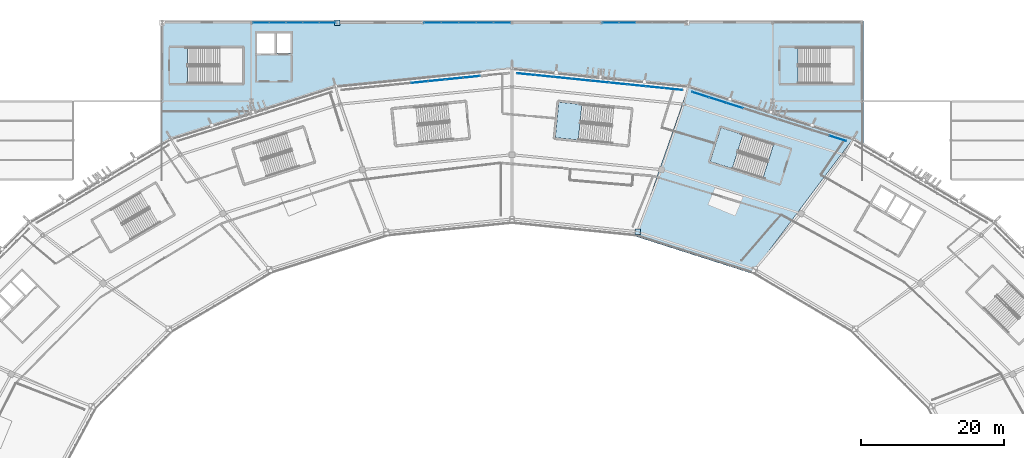
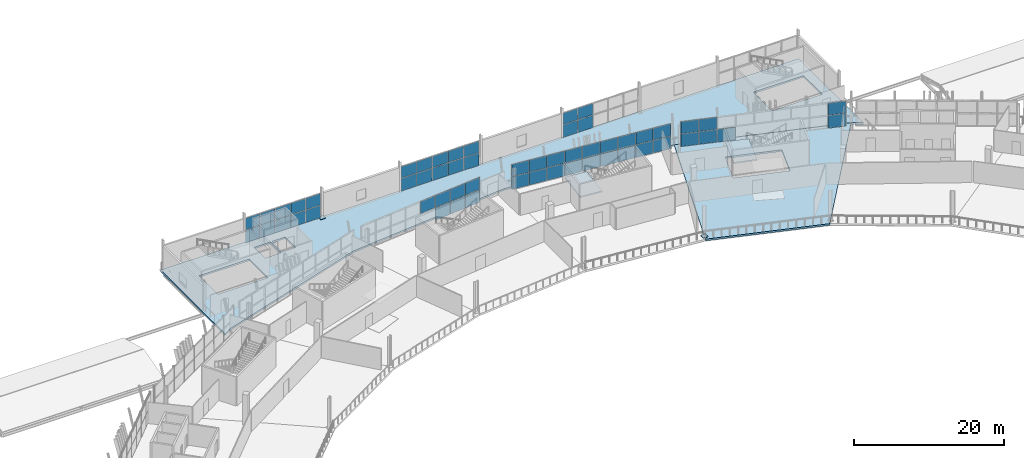
# One storey, part 101 of 179: 58 plates, 4 slabs, 8 elements without a shape of their own.
"""IFC4 building model written with IfcOpenShell, lengths in metres."""

from ifc_helpers import new_model, si_unit, direction, frame, origin, origin_2d, place, context, subcontext, project, spatial, polyline, rectangle, outline, extrude, material, layer, layer_set, type_object, element, aggregate, save


model = new_model("IFC4")

# Units and contexts
model_context = context("Model", 3, precision=1e-05, world=origin(), true_north=direction((0.0, 1.0)))
body_context = subcontext(model_context, "Body", "Model", "MODEL_VIEW")
ifc_project = project(units=[si_unit("LENGTHUNIT", "METRE"), si_unit("AREAUNIT", "SQUARE_METRE"), si_unit("VOLUMEUNIT", "CUBIC_METRE"), si_unit("PLANEANGLEUNIT", "RADIAN"), si_unit("MASSUNIT", "GRAM", prefix="KILO")], contexts=[model_context])

# Site, building, storey
site_placement = place(None, origin())
site = spatial("IfcSite", under=ifc_project, at=site_placement, CompositionType="ELEMENT")
building_placement = place(site_placement, origin())
building = spatial("IfcBuilding", under=site, at=building_placement, Name="Zlatoyarsky Gate Stadium", CompositionType="ELEMENT")
storey_placement = place(building_placement, frame((0.0, 0.0, 10.60009765625)))
storey = spatial("IfcBuildingStorey", under=building, at=storey_placement, Name="L02", CompositionType="ELEMENT", Elevation=10.60009765625)

# Curtain wall, plates
ifc_material_1 = material(Name="Thermally broken anodised aluminium curtain wall", Category="aluminium")
curtain_wall_type_1 = type_object("IfcCurtainWallType", Name="MONUMENTAL ARCHED GATE GLAZING UPPER", PredefinedType="USERDEFINED", material=ifc_material_1)
curtain_wall_1_placement = place(storey_placement, origin())
curtain_wall_1 = element("IfcCurtainWall", 1, at=curtain_wall_1_placement, inside=storey, type_object=curtain_wall_type_1, Name="Curtain wall CW-L02-06", ObjectType="ARCHED GATE GLAZING", PredefinedType="USERDEFINED")
ifc_material_2 = material(Name="Triple-glazed argon low-e architectural glass", Category="glass")
ifc_layer_1 = layer(ifc_material_2, 0.0458984375)
ifc_layer_set_1 = layer_set([ifc_layer_1], Name="Triple-glazed argon low-e architectural glass")
plate_type_1 = type_object("IfcPlateType", Name="ACOUSTIC LAMINATED GATE GLAZING PANEL 46", PredefinedType="CURTAIN_PANEL", material=ifc_layer_set_1)
plate_1_placement = place(storey_placement, frame((105.334716796875, 152.40283203125, 0.074951171875), z_axis=(0.0, 0.0, 1.0), x_axis=(-0.994922667712, -0.100642363208, 0.0)))
plate_1 = element("IfcPlate", 2, at=plate_1_placement, type_object=plate_type_1, Name="CW-AG2 panel 1.1", PredefinedType="CURTAIN_PANEL", context=body_context, shape_type="SweptSolid", body=[
    extrude(rectangle(XDim=2.33837890625, YDim=0.0458984375, at=origin_2d()), origin(), (0.0, 0.0, 1.0), 2.03759765625),
])
plate_2_placement = place(storey_placement, frame((105.334716796875, 152.40283203125, 2.1875), z_axis=(0.0, 0.0, 1.0), x_axis=(-0.994922667712, -0.100642363208, 0.0)))
plate_2 = element("IfcPlate", 3, at=plate_2_placement, type_object=plate_type_1, Name="CW-AG2 panel 1.2", PredefinedType="CURTAIN_PANEL", context=body_context, shape_type="SweptSolid", body=[
    extrude(rectangle(XDim=2.33837890625, YDim=0.0458984375, at=origin_2d()), origin(), (0.0, 0.0, 1.0), 1.9375),
])
plate_3_placement = place(storey_placement, frame((102.9150390625, 152.157958984375, 0.074951171875), z_axis=(0.0, 0.0, 1.0), x_axis=(-0.994922667712, -0.100642363208, 0.0)))
plate_3 = element("IfcPlate", 4, at=plate_3_placement, type_object=plate_type_1, Name="CW-AG2 panel 2.1", PredefinedType="CURTAIN_PANEL", context=body_context, shape_type="SweptSolid", body=[
    extrude(rectangle(XDim=2.3759765625, YDim=0.0458984375, at=origin_2d()), origin(), (0.0, 0.0, 1.0), 2.03759765625),
])
plate_4_placement = place(storey_placement, frame((102.9150390625, 152.157958984375, 2.1875), z_axis=(0.0, 0.0, 1.0), x_axis=(-0.994922667712, -0.100642363208, 0.0)))
plate_4 = element("IfcPlate", 5, at=plate_4_placement, type_object=plate_type_1, Name="CW-AG2 panel 2.2", PredefinedType="CURTAIN_PANEL", context=body_context, shape_type="SweptSolid", body=[
    extrude(rectangle(XDim=2.3759765625, YDim=0.0458984375, at=origin_2d()), origin(), (0.0, 0.0, 1.0), 1.9375),
])
plate_5_placement = place(storey_placement, frame((100.4765625, 151.911376953125, 0.074951171875), z_axis=(0.0, 0.0, 1.0), x_axis=(-0.994922667712, -0.100642363208, 0.0)))
plate_5 = element("IfcPlate", 6, at=plate_5_placement, type_object=plate_type_1, Name="CW-AG2 panel 3.1", PredefinedType="CURTAIN_PANEL", context=body_context, shape_type="SweptSolid", body=[
    extrude(rectangle(XDim=2.3759765625, YDim=0.0458984375, at=origin_2d()), origin(), (0.0, 0.0, 1.0), 2.03759765625),
])
plate_6_placement = place(storey_placement, frame((100.4765625, 151.911376953125, 2.1875), z_axis=(0.0, 0.0, 1.0), x_axis=(-0.994922667712, -0.100642363208, 0.0)))
plate_6 = element("IfcPlate", 7, at=plate_6_placement, type_object=plate_type_1, Name="CW-AG2 panel 3.2", PredefinedType="CURTAIN_PANEL", context=body_context, shape_type="SweptSolid", body=[
    extrude(rectangle(XDim=2.3759765625, YDim=0.0458984375, at=origin_2d()), origin(), (0.0, 0.0, 1.0), 1.9375),
])
plate_7_placement = place(storey_placement, frame((98.0380859375, 151.664794921875, 2.1875), z_axis=(0.0, 0.0, 1.0), x_axis=(-0.994922667712, -0.100642363208, 0.0)))
plate_7 = element("IfcPlate", 8, at=plate_7_placement, type_object=plate_type_1, Name="CW-AG2 panel 4.2", PredefinedType="CURTAIN_PANEL", context=body_context, shape_type="SweptSolid", body=[
    extrude(rectangle(XDim=2.3759765625, YDim=0.0458984375, at=origin_2d()), origin(), (0.0, 0.0, 1.0), 1.9375),
])
aggregate(curtain_wall_1, [plate_1, plate_2, plate_3, plate_4, plate_5, plate_6, plate_7])

# Slabs
ifc_material_3 = material(Name="Concrete C40/50", Category="concrete")
ifc_layer_2 = layer(ifc_material_3, 0.280029296875)
ifc_layer_set_2 = layer_set([ifc_layer_2], Name="Concrete C40/50")
slab_type_1 = type_object("IfcSlabType", Name="CONCRETE HOSPITALITY SLAB 280", PredefinedType="FLOOR", material=ifc_layer_set_2)
slab_1_placement = place(storey_placement, frame((0.0, 0.0, -0.280029296875)))
element("IfcSlab", 9, at=slab_1_placement, inside=storey, type_object=slab_type_1, Name="L02 bowl sector 04 slab", PredefinedType="FLOOR", context=body_context, shape_type="SweptSolid", body=[
    extrude(outline(polyline([(128.392578125, 130.034912109375), (135.7626953125, 151.16552734375), (158.837890625, 143.80517578125), (144.60009765625, 124.860107421875), (128.392578125, 130.034912109375)]), holes=[polyline([(147.6533203125, 142.964111328125), (140.263916015625, 145.30078125), (138.75634765625, 140.53369140625), (146.145751953125, 138.197021484375), (147.6533203125, 142.964111328125)])]), origin(), (0.0, 0.0, 1.0), 0.280029296875),
])
slab_2_placement = place(storey_placement, frame((0.0, 0.0, -0.280029296875)))
element("IfcSlab", 10, at=slab_2_placement, inside=storey, type_object=slab_type_1, Name="L02 wing V2_NORTH slab", PredefinedType="FLOOR", context=body_context, shape_type="SweptSolid", body=[
    extrude(outline(polyline([(160.239990234375, 142.976806640625), (158.837890625, 143.80517578125), (135.7626953125, 151.16552734375), (111.0, 153.67578125), (86.2373046875, 151.16552734375), (63.162109375, 143.80517578125), (61.760009765625, 142.976806640625), (61.760009765625, 160.239990234375), (160.239990234375, 160.239990234375), (160.239990234375, 142.976806640625)]), holes=[polyline([(73.300048828125, 151.5), (73.300048828125, 156.5), (65.550048828125, 156.5), (65.550048828125, 151.5), (73.300048828125, 151.5)]), polyline([(77.75, 158.550048828125), (75.25, 158.550048828125), (75.25, 155.64990234375), (77.75, 155.64990234375), (77.75, 158.550048828125)]), polyline([(80.0, 158.550048828125), (78.0, 158.550048828125), (78.0, 155.75), (80.0, 155.75), (80.0, 158.550048828125)]), polyline([(151.050048828125, 151.5), (158.800048828125, 151.5), (158.800048828125, 156.5), (151.050048828125, 156.5), (151.050048828125, 151.5)])]), origin(), (0.0, 0.0, 1.0), 0.280029296875),
])

# Stair, slab
stair_type = type_object("IfcStairType", Name="CONCRETE DOGLEG EXIT STAIR H5000", PredefinedType="TWO_STRAIGHT_RUN_STAIR", material=ifc_material_3)
stair_1_placement = place(storey_placement, origin())
stair_1 = element("IfcStair", 11, at=stair_1_placement, inside=storey, type_object=stair_type, Name="L02 Exit Stair ST-03", PredefinedType="TWO_STRAIGHT_RUN_STAIR")
ifc_layer_3 = layer(ifc_material_3, 0.199951171875)
ifc_layer_set_3 = layer_set([ifc_layer_3], Name="Concrete C40/50")
slab_type_2 = type_object("IfcSlabType", Name="CONCRETE STAIR LANDING SLAB 200", PredefinedType="LANDING", material=ifc_layer_set_3)
slab_3_placement = place(storey_placement, frame((0.0, 0.0, 2.2998046875)))
slab_3 = element("IfcSlab", 12, at=slab_3_placement, type_object=slab_type_2, Name="ST-DG50 landing 1", PredefinedType="LANDING", context=body_context, shape_type="SweptSolid", body=[
    extrude(outline(polyline([(143.36279296875, 144.321044921875), (140.263916015625, 145.30078125), (138.75634765625, 140.53369140625), (141.855224609375, 139.5537109375), (143.36279296875, 144.321044921875)])), origin(), (0.0, 0.0, 1.0), 0.2001953125),
])
aggregate(stair_1, [slab_3])

stair_2_placement = place(storey_placement, origin())
stair_2 = element("IfcStair", 13, at=stair_2_placement, inside=storey, type_object=stair_type, Name="L02 Exit Stair ST-17", PredefinedType="TWO_STRAIGHT_RUN_STAIR")
slab_4_placement = place(storey_placement, frame((0.0, 0.0, 2.2998046875)))
slab_4 = element("IfcSlab", 14, at=slab_4_placement, type_object=slab_type_2, Name="ST-DG50 landing 1", PredefinedType="LANDING", context=body_context, shape_type="SweptSolid", body=[
    extrude(outline(polyline([(120.792236328125, 148.540771484375), (117.558349609375, 148.865966796875), (117.058349609375, 143.890869140625), (120.2919921875, 143.56591796875), (120.792236328125, 148.540771484375)])), origin(), (0.0, 0.0, 1.0), 0.2001953125),
])
aggregate(stair_2, [slab_4])

# Plates
ifc_material_4 = material(Name="Steel S355", Category="steel")
ifc_layer_4 = layer(ifc_material_4, 0.0400390625)
ifc_layer_set_4 = layer_set([ifc_layer_4], Name="Steel S355")
plate_type_2 = type_object("IfcPlateType", Name="STEEL COLUMN BASE PLATE 40", PredefinedType="USERDEFINED", material=ifc_layer_set_4)
for number, where, z_axis, x_axis, name in (
    (15, (128.599609375, 130.711181640625, 0.0), (0.0, 0.0, 1.0), (1.0, 0.0, 0.0), "Column base plate BP-01 at RA-05 L02"),
    (16, (86.5, 160.0, 0.0), (0.0, 0.0, 1.0), (1.0, 0.0, 0.0), "Column base plate BP-01 at WG-8-Q L02"),
):
    element("IfcPlate", number, at=place(storey_placement, frame(where, z_axis=z_axis, x_axis=x_axis)), inside=storey, type_object=plate_type_2, Name=name, ObjectType="BASE PLATE", PredefinedType="USERDEFINED", context=body_context, shape_type="SweptSolid", body=[
        extrude(rectangle(XDim=0.75, YDim=0.75, at=origin_2d()), origin(), (0.0, 0.0, 1.0), 0.0400390625),
    ])

# Curtain wall, plates
curtain_wall_type_2 = type_object("IfcCurtainWallType", Name="UNITISED HOSPITALITY GLAZING L02", PredefinedType="USERDEFINED", material=ifc_material_1)
curtain_wall_2_placement = place(storey_placement, origin())
curtain_wall_2 = element("IfcCurtainWall", 17, at=curtain_wall_2_placement, inside=storey, type_object=curtain_wall_type_2, Name="Curtain wall CW-L02-04", ObjectType="UNITISED GLAZING", PredefinedType="USERDEFINED")
ifc_layer_5 = layer(ifc_material_2, 0.0380859375)
ifc_layer_set_5 = layer_set([ifc_layer_5], Name="Triple-glazed argon low-e architectural glass")
plate_type_3 = type_object("IfcPlateType", Name="TRIPLE GLAZED LOW E CURTAIN PANEL 38", PredefinedType="CURTAIN_PANEL", material=ifc_layer_set_5)
plate_8_placement = place(storey_placement, frame((156.6494140625, 143.7841796875, 0.06494140625), z_axis=(0.0, 0.0, 1.0), x_axis=(-0.952902096538, 0.303278080998, 0.0)))
plate_8 = element("IfcPlate", 18, at=plate_8_placement, type_object=plate_type_3, Name="CW-UG2 panel 1.1", PredefinedType="CURTAIN_PANEL", context=body_context, shape_type="SweptSolid", body=[
    extrude(rectangle(XDim=2.428955078125, YDim=0.0380859375, at=origin_2d()), origin(), (0.0, 0.0, 1.0), 2.052490234375),
])
plate_9_placement = place(storey_placement, frame((156.6494140625, 143.7841796875, 2.1826171875), z_axis=(0.0, 0.0, 1.0), x_axis=(-0.952902096538, 0.303278080998, 0.0)))
plate_9 = element("IfcPlate", 19, at=plate_9_placement, type_object=plate_type_3, Name="CW-UG2 panel 1.2", PredefinedType="CURTAIN_PANEL", context=body_context, shape_type="SweptSolid", body=[
    extrude(rectangle(XDim=2.428955078125, YDim=0.0380859375, at=origin_2d()), origin(), (0.0, 0.0, 1.0), 1.952392578125),
])
plate_10_placement = place(storey_placement, frame((142.2197265625, 148.376708984375, 0.06494140625), z_axis=(0.0, 0.0, 1.0), x_axis=(-0.952902096538, 0.303278080998, 0.0)))
plate_10 = element("IfcPlate", 20, at=plate_10_placement, type_object=plate_type_3, Name="CW-UG2 panel 7.1", PredefinedType="CURTAIN_PANEL", context=body_context, shape_type="SweptSolid", body=[
    extrude(rectangle(XDim=2.46142578125, YDim=0.0380859375, at=origin_2d()), origin(), (0.0, 0.0, 1.0), 2.052490234375),
])
plate_11_placement = place(storey_placement, frame((139.812255859375, 149.142822265625, 0.06494140625), z_axis=(0.0, 0.0, 1.0), x_axis=(-0.952902096538, 0.303278080998, 0.0)))
plate_11 = element("IfcPlate", 21, at=plate_11_placement, type_object=plate_type_3, Name="CW-UG2 panel 8.1", PredefinedType="CURTAIN_PANEL", context=body_context, shape_type="SweptSolid", body=[
    extrude(rectangle(XDim=2.46142578125, YDim=0.0380859375, at=origin_2d()), origin(), (0.0, 0.0, 1.0), 2.052490234375),
])
plate_12_placement = place(storey_placement, frame((139.812255859375, 149.142822265625, 2.1826171875), z_axis=(0.0, 0.0, 1.0), x_axis=(-0.952902096538, 0.303278080998, 0.0)))
plate_12 = element("IfcPlate", 22, at=plate_12_placement, type_object=plate_type_3, Name="CW-UG2 panel 8.2", PredefinedType="CURTAIN_PANEL", context=body_context, shape_type="SweptSolid", body=[
    extrude(rectangle(XDim=2.46142578125, YDim=0.0380859375, at=origin_2d()), origin(), (0.0, 0.0, 1.0), 1.952392578125),
])
plate_13_placement = place(storey_placement, frame((137.420166015625, 149.904052734375, 0.06494140625), z_axis=(0.0, 0.0, 1.0), x_axis=(-0.952902096538, 0.303278080998, 0.0)))
plate_13 = element("IfcPlate", 23, at=plate_13_placement, type_object=plate_type_3, Name="CW-UG2 panel 9.1", PredefinedType="CURTAIN_PANEL", context=body_context, shape_type="SweptSolid", body=[
    extrude(rectangle(XDim=2.428955078125, YDim=0.0380859375, at=origin_2d()), origin(), (0.0, 0.0, 1.0), 2.052490234375),
])
plate_14_placement = place(storey_placement, frame((137.420166015625, 149.904052734375, 2.1826171875), z_axis=(0.0, 0.0, 1.0), x_axis=(-0.952902096538, 0.303278080998, 0.0)))
plate_14 = element("IfcPlate", 24, at=plate_14_placement, type_object=plate_type_3, Name="CW-UG2 panel 9.2", PredefinedType="CURTAIN_PANEL", context=body_context, shape_type="SweptSolid", body=[
    extrude(rectangle(XDim=2.428955078125, YDim=0.0380859375, at=origin_2d()), origin(), (0.0, 0.0, 1.0), 1.952392578125),
])
aggregate(curtain_wall_2, [plate_8, plate_9, plate_10, plate_11, plate_12, plate_13, plate_14])

curtain_wall_3_placement = place(storey_placement, origin())
curtain_wall_3 = element("IfcCurtainWall", 25, at=curtain_wall_3_placement, inside=storey, type_object=curtain_wall_type_2, Name="Curtain wall CW-L02-05", ObjectType="UNITISED GLAZING", PredefinedType="USERDEFINED")
plate_15_placement = place(storey_placement, frame((133.625, 150.687255859375, 0.06494140625), z_axis=(0.0, 0.0, 1.0), x_axis=(-0.994922412577, 0.100644885375, 0.0)))
plate_15 = element("IfcPlate", 26, at=plate_15_placement, type_object=plate_type_3, Name="CW-UG2 panel 1.1", PredefinedType="CURTAIN_PANEL", context=body_context, shape_type="SweptSolid", body=[
    extrude(rectangle(XDim=2.503173828125, YDim=0.0380859375, at=origin_2d()), origin(), (0.0, 0.0, 1.0), 2.052490234375),
])
plate_16_placement = place(storey_placement, frame((133.625, 150.687255859375, 2.1826171875), z_axis=(0.0, 0.0, 1.0), x_axis=(-0.994922412577, 0.100644885375, 0.0)))
plate_16 = element("IfcPlate", 27, at=plate_16_placement, type_object=plate_type_3, Name="CW-UG2 panel 1.2", PredefinedType="CURTAIN_PANEL", context=body_context, shape_type="SweptSolid", body=[
    extrude(rectangle(XDim=2.503173828125, YDim=0.0380859375, at=origin_2d()), origin(), (0.0, 0.0, 1.0), 1.952392578125),
])
plate_17_placement = place(storey_placement, frame((131.053466796875, 150.947265625, 0.06494140625), z_axis=(0.0, 0.0, 1.0), x_axis=(-0.994922412577, 0.100644885375, 0.0)))
plate_17 = element("IfcPlate", 28, at=plate_17_placement, type_object=plate_type_3, Name="CW-UG2 panel 2.1", PredefinedType="CURTAIN_PANEL", context=body_context, shape_type="SweptSolid", body=[
    extrude(rectangle(XDim=2.535888671875, YDim=0.0380859375, at=origin_2d()), origin(), (0.0, 0.0, 1.0), 2.052490234375),
])
plate_18_placement = place(storey_placement, frame((131.053466796875, 150.947265625, 2.1826171875), z_axis=(0.0, 0.0, 1.0), x_axis=(-0.994922412577, 0.100644885375, 0.0)))
plate_18 = element("IfcPlate", 29, at=plate_18_placement, type_object=plate_type_3, Name="CW-UG2 panel 2.2", PredefinedType="CURTAIN_PANEL", context=body_context, shape_type="SweptSolid", body=[
    extrude(rectangle(XDim=2.535888671875, YDim=0.0380859375, at=origin_2d()), origin(), (0.0, 0.0, 1.0), 1.952392578125),
])
plate_19_placement = place(storey_placement, frame((128.466064453125, 151.208984375, 0.06494140625), z_axis=(0.0, 0.0, 1.0), x_axis=(-0.994922412577, 0.100644885375, 0.0)))
plate_19 = element("IfcPlate", 30, at=plate_19_placement, type_object=plate_type_3, Name="CW-UG2 panel 3.1", PredefinedType="CURTAIN_PANEL", context=body_context, shape_type="SweptSolid", body=[
    extrude(rectangle(XDim=2.535888671875, YDim=0.0380859375, at=origin_2d()), origin(), (0.0, 0.0, 1.0), 2.052490234375),
])
plate_20_placement = place(storey_placement, frame((128.466064453125, 151.208984375, 2.1826171875), z_axis=(0.0, 0.0, 1.0), x_axis=(-0.994922412577, 0.100644885375, 0.0)))
plate_20 = element("IfcPlate", 31, at=plate_20_placement, type_object=plate_type_3, Name="CW-UG2 panel 3.2", PredefinedType="CURTAIN_PANEL", context=body_context, shape_type="SweptSolid", body=[
    extrude(rectangle(XDim=2.535888671875, YDim=0.0380859375, at=origin_2d()), origin(), (0.0, 0.0, 1.0), 1.952392578125),
])
plate_21_placement = place(storey_placement, frame((125.87841796875, 151.470947265625, 0.06494140625), z_axis=(0.0, 0.0, 1.0), x_axis=(-0.994922412577, 0.100644885375, 0.0)))
plate_21 = element("IfcPlate", 32, at=plate_21_placement, type_object=plate_type_3, Name="CW-UG2 panel 4.1", PredefinedType="CURTAIN_PANEL", context=body_context, shape_type="SweptSolid", body=[
    extrude(rectangle(XDim=2.535888671875, YDim=0.0380859375, at=origin_2d()), origin(), (0.0, 0.0, 1.0), 2.052490234375),
])
plate_22_placement = place(storey_placement, frame((125.87841796875, 151.470947265625, 2.1826171875), z_axis=(0.0, 0.0, 1.0), x_axis=(-0.994922412577, 0.100644885375, 0.0)))
plate_22 = element("IfcPlate", 33, at=plate_22_placement, type_object=plate_type_3, Name="CW-UG2 panel 4.2", PredefinedType="CURTAIN_PANEL", context=body_context, shape_type="SweptSolid", body=[
    extrude(rectangle(XDim=2.535888671875, YDim=0.0380859375, at=origin_2d()), origin(), (0.0, 0.0, 1.0), 1.952392578125),
])
plate_23_placement = place(storey_placement, frame((123.290771484375, 151.732666015625, 0.06494140625), z_axis=(0.0, 0.0, 1.0), x_axis=(-0.994922412577, 0.100644885375, 0.0)))
plate_23 = element("IfcPlate", 34, at=plate_23_placement, type_object=plate_type_3, Name="CW-UG2 panel 5.1", PredefinedType="CURTAIN_PANEL", context=body_context, shape_type="SweptSolid", body=[
    extrude(rectangle(XDim=2.535888671875, YDim=0.0380859375, at=origin_2d()), origin(), (0.0, 0.0, 1.0), 2.052490234375),
])
plate_24_placement = place(storey_placement, frame((123.290771484375, 151.732666015625, 2.1826171875), z_axis=(0.0, 0.0, 1.0), x_axis=(-0.994922412577, 0.100644885375, 0.0)))
plate_24 = element("IfcPlate", 35, at=plate_24_placement, type_object=plate_type_3, Name="CW-UG2 panel 5.2", PredefinedType="CURTAIN_PANEL", context=body_context, shape_type="SweptSolid", body=[
    extrude(rectangle(XDim=2.535888671875, YDim=0.0380859375, at=origin_2d()), origin(), (0.0, 0.0, 1.0), 1.952392578125),
])
plate_25_placement = place(storey_placement, frame((120.703125, 151.994384765625, 0.06494140625), z_axis=(0.0, 0.0, 1.0), x_axis=(-0.994922412577, 0.100644885375, 0.0)))
plate_25 = element("IfcPlate", 36, at=plate_25_placement, type_object=plate_type_3, Name="CW-UG2 panel 6.1", PredefinedType="CURTAIN_PANEL", context=body_context, shape_type="SweptSolid", body=[
    extrude(rectangle(XDim=2.535888671875, YDim=0.0380859375, at=origin_2d()), origin(), (0.0, 0.0, 1.0), 2.052490234375),
])
plate_26_placement = place(storey_placement, frame((120.703125, 151.994384765625, 2.1826171875), z_axis=(0.0, 0.0, 1.0), x_axis=(-0.994922412577, 0.100644885375, 0.0)))
plate_26 = element("IfcPlate", 37, at=plate_26_placement, type_object=plate_type_3, Name="CW-UG2 panel 6.2", PredefinedType="CURTAIN_PANEL", context=body_context, shape_type="SweptSolid", body=[
    extrude(rectangle(XDim=2.535888671875, YDim=0.0380859375, at=origin_2d()), origin(), (0.0, 0.0, 1.0), 1.952392578125),
])
plate_27_placement = place(storey_placement, frame((118.11572265625, 152.256103515625, 0.06494140625), z_axis=(0.0, 0.0, 1.0), x_axis=(-0.994922412577, 0.100644885375, 0.0)))
plate_27 = element("IfcPlate", 38, at=plate_27_placement, type_object=plate_type_3, Name="CW-UG2 panel 7.1", PredefinedType="CURTAIN_PANEL", context=body_context, shape_type="SweptSolid", body=[
    extrude(rectangle(XDim=2.535888671875, YDim=0.0380859375, at=origin_2d()), origin(), (0.0, 0.0, 1.0), 2.052490234375),
])
plate_28_placement = place(storey_placement, frame((118.11572265625, 152.256103515625, 2.1826171875), z_axis=(0.0, 0.0, 1.0), x_axis=(-0.994922412577, 0.100644885375, 0.0)))
plate_28 = element("IfcPlate", 39, at=plate_28_placement, type_object=plate_type_3, Name="CW-UG2 panel 7.2", PredefinedType="CURTAIN_PANEL", context=body_context, shape_type="SweptSolid", body=[
    extrude(rectangle(XDim=2.535888671875, YDim=0.0380859375, at=origin_2d()), origin(), (0.0, 0.0, 1.0), 1.952392578125),
])
plate_29_placement = place(storey_placement, frame((115.528076171875, 152.517822265625, 0.06494140625), z_axis=(0.0, 0.0, 1.0), x_axis=(-0.994922412577, 0.100644885375, 0.0)))
plate_29 = element("IfcPlate", 40, at=plate_29_placement, type_object=plate_type_3, Name="CW-UG2 panel 8.1", PredefinedType="CURTAIN_PANEL", context=body_context, shape_type="SweptSolid", body=[
    extrude(rectangle(XDim=2.535888671875, YDim=0.0380859375, at=origin_2d()), origin(), (0.0, 0.0, 1.0), 2.052490234375),
])
plate_30_placement = place(storey_placement, frame((115.528076171875, 152.517822265625, 2.1826171875), z_axis=(0.0, 0.0, 1.0), x_axis=(-0.994922412577, 0.100644885375, 0.0)))
plate_30 = element("IfcPlate", 41, at=plate_30_placement, type_object=plate_type_3, Name="CW-UG2 panel 8.2", PredefinedType="CURTAIN_PANEL", context=body_context, shape_type="SweptSolid", body=[
    extrude(rectangle(XDim=2.535888671875, YDim=0.0380859375, at=origin_2d()), origin(), (0.0, 0.0, 1.0), 1.952392578125),
])
plate_31_placement = place(storey_placement, frame((112.95654296875, 152.778076171875, 0.06494140625), z_axis=(0.0, 0.0, 1.0), x_axis=(-0.994922412577, 0.100644885375, 0.0)))
plate_31 = element("IfcPlate", 42, at=plate_31_placement, type_object=plate_type_3, Name="CW-UG2 panel 9.1", PredefinedType="CURTAIN_PANEL", context=body_context, shape_type="SweptSolid", body=[
    extrude(rectangle(XDim=2.503173828125, YDim=0.0380859375, at=origin_2d()), origin(), (0.0, 0.0, 1.0), 2.052490234375),
])
plate_32_placement = place(storey_placement, frame((112.95654296875, 152.778076171875, 2.1826171875), z_axis=(0.0, 0.0, 1.0), x_axis=(-0.994922412577, 0.100644885375, 0.0)))
plate_32 = element("IfcPlate", 43, at=plate_32_placement, type_object=plate_type_3, Name="CW-UG2 panel 9.2", PredefinedType="CURTAIN_PANEL", context=body_context, shape_type="SweptSolid", body=[
    extrude(rectangle(XDim=2.503173828125, YDim=0.0380859375, at=origin_2d()), origin(), (0.0, 0.0, 1.0), 1.952392578125),
])
aggregate(curtain_wall_3, [plate_15, plate_16, plate_17, plate_18, plate_19, plate_20, plate_21, plate_22, plate_23, plate_24, plate_25, plate_26, plate_27, plate_28, plate_29, plate_30, plate_31, plate_32])

curtain_wall_type_3 = type_object("IfcCurtainWallType", Name="WINTER GARDEN CONSERVATORY GLAZING", PredefinedType="USERDEFINED", material=ifc_material_1)
curtain_wall_4_placement = place(storey_placement, origin())
curtain_wall_4 = element("IfcCurtainWall", 44, at=curtain_wall_4_placement, inside=storey, type_object=curtain_wall_type_3, Name="Curtain wall CW-V2_NORTH-L02-149", ObjectType="UNITISED GLAZING", PredefinedType="USERDEFINED")
plate_33_placement = place(storey_placement, frame((75.845947265625, 160.0, 0.06494140625), z_axis=(0.0, 0.0, 1.0), x_axis=(1.0, 0.0, 0.0)))
plate_33 = element("IfcPlate", 45, at=plate_33_placement, type_object=plate_type_3, Name="CW-WG1 panel 1.1", PredefinedType="CURTAIN_PANEL", context=body_context, shape_type="SweptSolid", body=[
    extrude(rectangle(XDim=2.23779296875, YDim=0.0380859375, at=origin_2d()), origin(), (0.0, 0.0, 1.0), 2.052490234375),
])
plate_34_placement = place(storey_placement, frame((75.845947265625, 160.0, 2.182373046875), z_axis=(0.0, 0.0, 1.0), x_axis=(1.0, 0.0, 0.0)))
plate_34 = element("IfcPlate", 46, at=plate_34_placement, type_object=plate_type_3, Name="CW-WG1 panel 1.2", PredefinedType="CURTAIN_PANEL", context=body_context, shape_type="SweptSolid", body=[
    extrude(rectangle(XDim=2.23779296875, YDim=0.0380859375, at=origin_2d()), origin(), (0.0, 0.0, 1.0), 1.8525390625),
])
plate_35_placement = place(storey_placement, frame((78.164794921875, 160.0, 0.06494140625), z_axis=(0.0, 0.0, 1.0), x_axis=(1.0, 0.0, 0.0)))
plate_35 = element("IfcPlate", 47, at=plate_35_placement, type_object=plate_type_3, Name="CW-WG1 panel 2.1", PredefinedType="CURTAIN_PANEL", context=body_context, shape_type="SweptSolid", body=[
    extrude(rectangle(XDim=2.270263671875, YDim=0.0380859375, at=origin_2d()), origin(), (0.0, 0.0, 1.0), 2.052490234375),
])
plate_36_placement = place(storey_placement, frame((78.164794921875, 160.0, 2.182373046875), z_axis=(0.0, 0.0, 1.0), x_axis=(1.0, 0.0, 0.0)))
plate_36 = element("IfcPlate", 48, at=plate_36_placement, type_object=plate_type_3, Name="CW-WG1 panel 2.2", PredefinedType="CURTAIN_PANEL", context=body_context, shape_type="SweptSolid", body=[
    extrude(rectangle(XDim=2.270263671875, YDim=0.0380859375, at=origin_2d()), origin(), (0.0, 0.0, 1.0), 1.8525390625),
])
plate_37_placement = place(storey_placement, frame((80.5, 160.0, 0.06494140625), z_axis=(0.0, 0.0, 1.0), x_axis=(1.0, 0.0, 0.0)))
plate_37 = element("IfcPlate", 49, at=plate_37_placement, type_object=plate_type_3, Name="CW-WG1 panel 3.1", PredefinedType="CURTAIN_PANEL", context=body_context, shape_type="SweptSolid", body=[
    extrude(rectangle(XDim=2.270263671875, YDim=0.0380859375, at=origin_2d()), origin(), (0.0, 0.0, 1.0), 2.052490234375),
])
plate_38_placement = place(storey_placement, frame((80.5, 160.0, 2.182373046875), z_axis=(0.0, 0.0, 1.0), x_axis=(1.0, 0.0, 0.0)))
plate_38 = element("IfcPlate", 50, at=plate_38_placement, type_object=plate_type_3, Name="CW-WG1 panel 3.2", PredefinedType="CURTAIN_PANEL", context=body_context, shape_type="SweptSolid", body=[
    extrude(rectangle(XDim=2.270263671875, YDim=0.0380859375, at=origin_2d()), origin(), (0.0, 0.0, 1.0), 1.8525390625),
])
plate_39_placement = place(storey_placement, frame((82.835205078125, 160.0, 0.06494140625), z_axis=(0.0, 0.0, 1.0), x_axis=(1.0, 0.0, 0.0)))
plate_39 = element("IfcPlate", 51, at=plate_39_placement, type_object=plate_type_3, Name="CW-WG1 panel 4.1", PredefinedType="CURTAIN_PANEL", context=body_context, shape_type="SweptSolid", body=[
    extrude(rectangle(XDim=2.270263671875, YDim=0.0380859375, at=origin_2d()), origin(), (0.0, 0.0, 1.0), 2.052490234375),
])
plate_40_placement = place(storey_placement, frame((82.835205078125, 160.0, 2.182373046875), z_axis=(0.0, 0.0, 1.0), x_axis=(1.0, 0.0, 0.0)))
plate_40 = element("IfcPlate", 52, at=plate_40_placement, type_object=plate_type_3, Name="CW-WG1 panel 4.2", PredefinedType="CURTAIN_PANEL", context=body_context, shape_type="SweptSolid", body=[
    extrude(rectangle(XDim=2.270263671875, YDim=0.0380859375, at=origin_2d()), origin(), (0.0, 0.0, 1.0), 1.8525390625),
])
plate_41_placement = place(storey_placement, frame((85.154052734375, 160.0, 0.06494140625), z_axis=(0.0, 0.0, 1.0), x_axis=(1.0, 0.0, 0.0)))
plate_41 = element("IfcPlate", 53, at=plate_41_placement, type_object=plate_type_3, Name="CW-WG1 panel 5.1", PredefinedType="CURTAIN_PANEL", context=body_context, shape_type="SweptSolid", body=[
    extrude(rectangle(XDim=2.23779296875, YDim=0.0380859375, at=origin_2d()), origin(), (0.0, 0.0, 1.0), 2.052490234375),
])
plate_42_placement = place(storey_placement, frame((85.154052734375, 160.0, 2.182373046875), z_axis=(0.0, 0.0, 1.0), x_axis=(1.0, 0.0, 0.0)))
plate_42 = element("IfcPlate", 54, at=plate_42_placement, type_object=plate_type_3, Name="CW-WG1 panel 5.2", PredefinedType="CURTAIN_PANEL", context=body_context, shape_type="SweptSolid", body=[
    extrude(rectangle(XDim=2.23779296875, YDim=0.0380859375, at=origin_2d()), origin(), (0.0, 0.0, 1.0), 1.8525390625),
])
aggregate(curtain_wall_4, [plate_33, plate_34, plate_35, plate_36, plate_37, plate_38, plate_39, plate_40, plate_41, plate_42])

curtain_wall_5_placement = place(storey_placement, origin())
curtain_wall_5 = element("IfcCurtainWall", 55, at=curtain_wall_5_placement, inside=storey, type_object=curtain_wall_type_3, Name="Curtain wall CW-V2_NORTH-L02-150", ObjectType="UNITISED GLAZING", PredefinedType="USERDEFINED")
plate_43_placement = place(storey_placement, frame((99.895751953125, 160.0, 0.06494140625), z_axis=(0.0, 0.0, 1.0), x_axis=(1.0, 0.0, 0.0)))
plate_43 = element("IfcPlate", 56, at=plate_43_placement, type_object=plate_type_3, Name="CW-WG1 panel 1.1", PredefinedType="CURTAIN_PANEL", context=body_context, shape_type="SweptSolid", body=[
    extrude(rectangle(XDim=2.337646484375, YDim=0.0380859375, at=origin_2d()), origin(), (0.0, 0.0, 1.0), 2.052490234375),
])
plate_44_placement = place(storey_placement, frame((99.895751953125, 160.0, 2.182373046875), z_axis=(0.0, 0.0, 1.0), x_axis=(1.0, 0.0, 0.0)))
plate_44 = element("IfcPlate", 57, at=plate_44_placement, type_object=plate_type_3, Name="CW-WG1 panel 1.2", PredefinedType="CURTAIN_PANEL", context=body_context, shape_type="SweptSolid", body=[
    extrude(rectangle(XDim=2.337646484375, YDim=0.0380859375, at=origin_2d()), origin(), (0.0, 0.0, 1.0), 1.8525390625),
])
plate_45_placement = place(storey_placement, frame((102.314697265625, 160.0, 0.06494140625), z_axis=(0.0, 0.0, 1.0), x_axis=(1.0, 0.0, 0.0)))
plate_45 = element("IfcPlate", 58, at=plate_45_placement, type_object=plate_type_3, Name="CW-WG1 panel 2.1", PredefinedType="CURTAIN_PANEL", context=body_context, shape_type="SweptSolid", body=[
    extrude(rectangle(XDim=2.3701171875, YDim=0.0380859375, at=origin_2d()), origin(), (0.0, 0.0, 1.0), 2.052490234375),
])
plate_46_placement = place(storey_placement, frame((102.314697265625, 160.0, 2.182373046875), z_axis=(0.0, 0.0, 1.0), x_axis=(1.0, 0.0, 0.0)))
plate_46 = element("IfcPlate", 59, at=plate_46_placement, type_object=plate_type_3, Name="CW-WG1 panel 2.2", PredefinedType="CURTAIN_PANEL", context=body_context, shape_type="SweptSolid", body=[
    extrude(rectangle(XDim=2.3701171875, YDim=0.0380859375, at=origin_2d()), origin(), (0.0, 0.0, 1.0), 1.8525390625),
])
plate_47_placement = place(storey_placement, frame((104.75, 160.0, 0.06494140625), z_axis=(0.0, 0.0, 1.0), x_axis=(1.0, 0.0, 0.0)))
plate_47 = element("IfcPlate", 60, at=plate_47_placement, type_object=plate_type_3, Name="CW-WG1 panel 3.1", PredefinedType="CURTAIN_PANEL", context=body_context, shape_type="SweptSolid", body=[
    extrude(rectangle(XDim=2.3701171875, YDim=0.0380859375, at=origin_2d()), origin(), (0.0, 0.0, 1.0), 2.052490234375),
])
plate_48_placement = place(storey_placement, frame((104.75, 160.0, 2.182373046875), z_axis=(0.0, 0.0, 1.0), x_axis=(1.0, 0.0, 0.0)))
plate_48 = element("IfcPlate", 61, at=plate_48_placement, type_object=plate_type_3, Name="CW-WG1 panel 3.2", PredefinedType="CURTAIN_PANEL", context=body_context, shape_type="SweptSolid", body=[
    extrude(rectangle(XDim=2.3701171875, YDim=0.0380859375, at=origin_2d()), origin(), (0.0, 0.0, 1.0), 1.8525390625),
])
plate_49_placement = place(storey_placement, frame((107.185302734375, 160.0, 0.06494140625), z_axis=(0.0, 0.0, 1.0), x_axis=(1.0, 0.0, 0.0)))
plate_49 = element("IfcPlate", 62, at=plate_49_placement, type_object=plate_type_3, Name="CW-WG1 panel 4.1", PredefinedType="CURTAIN_PANEL", context=body_context, shape_type="SweptSolid", body=[
    extrude(rectangle(XDim=2.3701171875, YDim=0.0380859375, at=origin_2d()), origin(), (0.0, 0.0, 1.0), 2.052490234375),
])
plate_50_placement = place(storey_placement, frame((107.185302734375, 160.0, 2.182373046875), z_axis=(0.0, 0.0, 1.0), x_axis=(1.0, 0.0, 0.0)))
plate_50 = element("IfcPlate", 63, at=plate_50_placement, type_object=plate_type_3, Name="CW-WG1 panel 4.2", PredefinedType="CURTAIN_PANEL", context=body_context, shape_type="SweptSolid", body=[
    extrude(rectangle(XDim=2.3701171875, YDim=0.0380859375, at=origin_2d()), origin(), (0.0, 0.0, 1.0), 1.8525390625),
])
plate_51_placement = place(storey_placement, frame((109.604248046875, 160.0, 0.06494140625), z_axis=(0.0, 0.0, 1.0), x_axis=(1.0, 0.0, 0.0)))
plate_51 = element("IfcPlate", 64, at=plate_51_placement, type_object=plate_type_3, Name="CW-WG1 panel 5.1", PredefinedType="CURTAIN_PANEL", context=body_context, shape_type="SweptSolid", body=[
    extrude(rectangle(XDim=2.337646484375, YDim=0.0380859375, at=origin_2d()), origin(), (0.0, 0.0, 1.0), 2.052490234375),
])
plate_52_placement = place(storey_placement, frame((109.604248046875, 160.0, 2.182373046875), z_axis=(0.0, 0.0, 1.0), x_axis=(1.0, 0.0, 0.0)))
plate_52 = element("IfcPlate", 65, at=plate_52_placement, type_object=plate_type_3, Name="CW-WG1 panel 5.2", PredefinedType="CURTAIN_PANEL", context=body_context, shape_type="SweptSolid", body=[
    extrude(rectangle(XDim=2.337646484375, YDim=0.0380859375, at=origin_2d()), origin(), (0.0, 0.0, 1.0), 1.8525390625),
])
aggregate(curtain_wall_5, [plate_43, plate_44, plate_45, plate_46, plate_47, plate_48, plate_49, plate_50, plate_51, plate_52])

curtain_wall_6_placement = place(storey_placement, origin())
curtain_wall_6 = element("IfcCurtainWall", 66, at=curtain_wall_6_placement, inside=storey, type_object=curtain_wall_type_3, Name="Curtain wall CW-V2_NORTH-L02-151", ObjectType="UNITISED GLAZING", PredefinedType="USERDEFINED")
plate_53_placement = place(storey_placement, frame((124.845947265625, 160.0, 0.06494140625), z_axis=(0.0, 0.0, 1.0), x_axis=(1.0, 0.0, 0.0)))
plate_53 = element("IfcPlate", 67, at=plate_53_placement, type_object=plate_type_3, Name="CW-WG1 panel 1.1", PredefinedType="CURTAIN_PANEL", context=body_context, shape_type="SweptSolid", body=[
    extrude(rectangle(XDim=2.23779296875, YDim=0.0380859375, at=origin_2d()), origin(), (0.0, 0.0, 1.0), 2.052490234375),
])
plate_54_placement = place(storey_placement, frame((124.845947265625, 160.0, 2.182373046875), z_axis=(0.0, 0.0, 1.0), x_axis=(1.0, 0.0, 0.0)))
plate_54 = element("IfcPlate", 68, at=plate_54_placement, type_object=plate_type_3, Name="CW-WG1 panel 1.2", PredefinedType="CURTAIN_PANEL", context=body_context, shape_type="SweptSolid", body=[
    extrude(rectangle(XDim=2.23779296875, YDim=0.0380859375, at=origin_2d()), origin(), (0.0, 0.0, 1.0), 1.8525390625),
])
plate_55_placement = place(storey_placement, frame((127.164794921875, 160.0, 0.06494140625), z_axis=(0.0, 0.0, 1.0), x_axis=(1.0, 0.0, 0.0)))
plate_55 = element("IfcPlate", 69, at=plate_55_placement, type_object=plate_type_3, Name="CW-WG1 panel 2.1", PredefinedType="CURTAIN_PANEL", context=body_context, shape_type="SweptSolid", body=[
    extrude(rectangle(XDim=2.270263671875, YDim=0.0380859375, at=origin_2d()), origin(), (0.0, 0.0, 1.0), 2.052490234375),
])
plate_56_placement = place(storey_placement, frame((127.164794921875, 160.0, 2.182373046875), z_axis=(0.0, 0.0, 1.0), x_axis=(1.0, 0.0, 0.0)))
plate_56 = element("IfcPlate", 70, at=plate_56_placement, type_object=plate_type_3, Name="CW-WG1 panel 2.2", PredefinedType="CURTAIN_PANEL", context=body_context, shape_type="SweptSolid", body=[
    extrude(rectangle(XDim=2.270263671875, YDim=0.0380859375, at=origin_2d()), origin(), (0.0, 0.0, 1.0), 1.8525390625),
])
aggregate(curtain_wall_6, [plate_53, plate_54, plate_55, plate_56])

save(model, "model.ifc")
